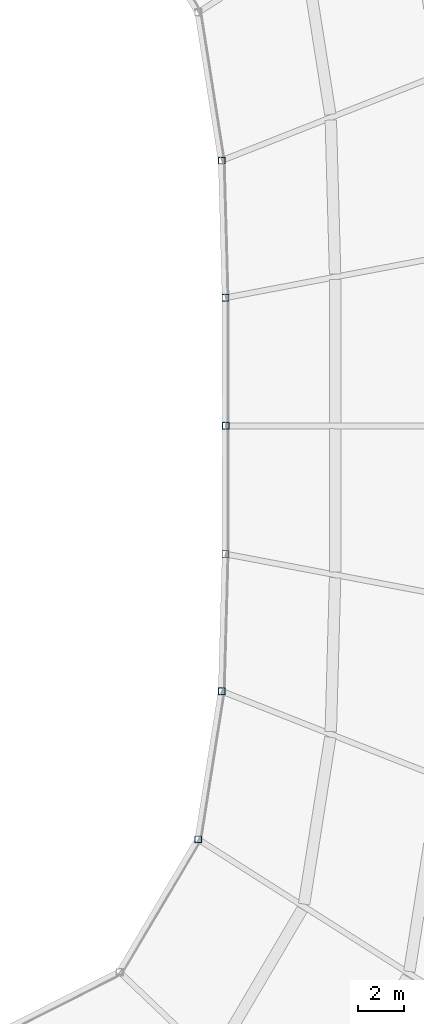
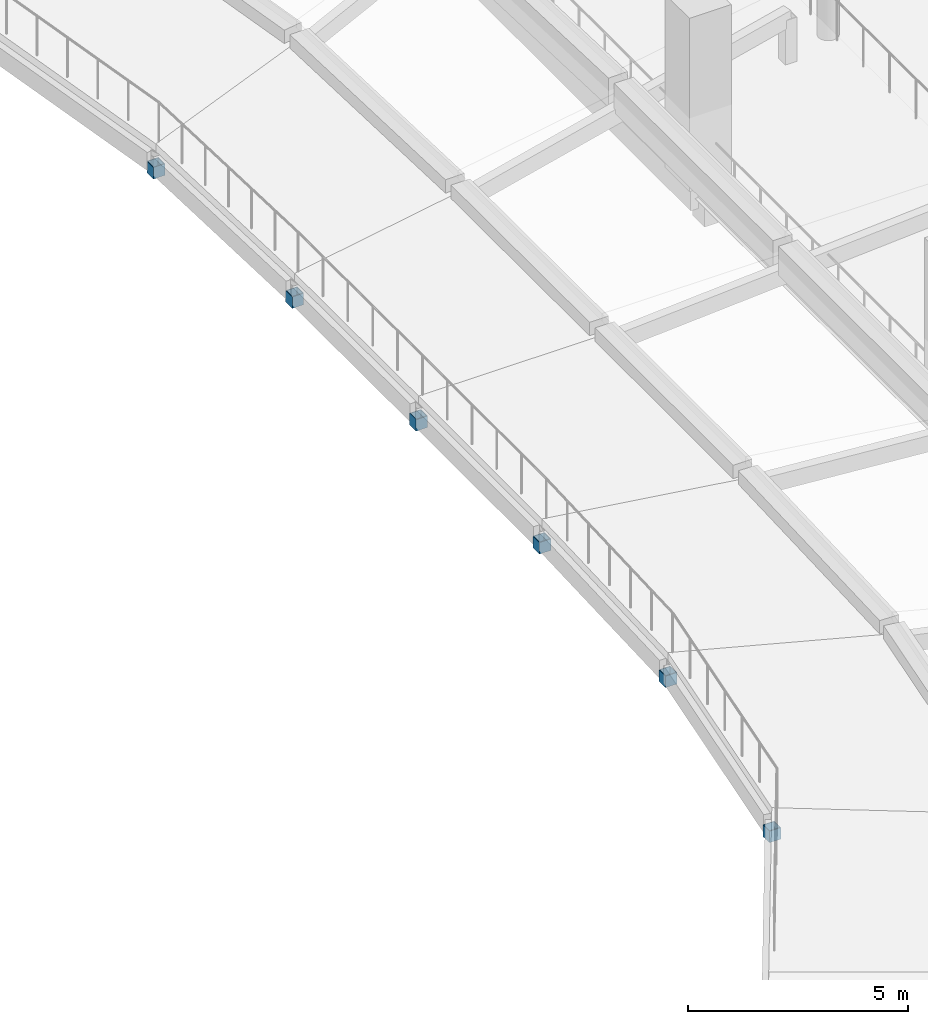
# One storey, part 20 of 77: 6 columns.
"""IFC4 building model written with IfcOpenShell, lengths in metres."""

from ifc_helpers import new_model, si_unit, direction, frame, origin, origin_2d, place, context, subcontext, project, spatial, hollow_rectangle, extrude, material, material_profile, profile_set, type_object, element, save


model = new_model("IFC4")

# Units and contexts
model_context = context("Model", 3, precision=1e-05, world=origin(), true_north=direction((0.0, 1.0)))
body_context = subcontext(model_context, "Body", "Model", "MODEL_VIEW")
ifc_project = project(units=[si_unit("LENGTHUNIT", "METRE"), si_unit("AREAUNIT", "SQUARE_METRE"), si_unit("VOLUMEUNIT", "CUBIC_METRE"), si_unit("PLANEANGLEUNIT", "RADIAN"), si_unit("MASSUNIT", "GRAM", prefix="KILO")], contexts=[model_context])

# Site, building, storey
site_placement = place(None, origin())
site = spatial("IfcSite", under=ifc_project, at=site_placement, CompositionType="ELEMENT")
building_placement = place(site_placement, origin())
building = spatial("IfcBuilding", under=site, at=building_placement, Name="Luwafu Chhajja Arena", CompositionType="ELEMENT")
storey_placement = place(building_placement, frame((0.0, 0.0, 14.699951171875)))
storey = spatial("IfcBuildingStorey", under=building, at=storey_placement, Name="L03", CompositionType="ELEMENT", Elevation=14.699951171875)

# Columns
ifc_material = material(Name="Steel S355", Category="steel")
ifc_material_profile = material_profile(ifc_material, hollow_rectangle(XDim=0.300048828125, YDim=0.300048828125, WallThickness=0.01611328125, at=origin_2d()), Name="SHS 300x300x16")
ifc_profile_set = profile_set([ifc_material_profile], Name="Steel S355")
column_type = type_object("IfcColumnType", Name="Steel Gallery Post SHS 300", PredefinedType="COLUMN", material=ifc_profile_set)
for number, where, z_axis, x_axis, name in (
    (1, (129.5, 49.5, 0.0), (0.0, 0.0, 1.0), (1.0, 0.0, 0.0), "L03 Upper Raker Front Post 01"),
    (2, (129.49169921875, 55.10791015625, 0.0), (0.0, 0.0, 1.0), (1.0, 0.0, 0.0), "L03 Upper Raker Front Post 02"),
    (3, (129.323486328125, 61.11328125, 0.0), (0.0, 0.0, 1.0), (1.0, 0.0, 0.0), "L03 Upper Raker Front Post 03"),
    (4, (128.298583984375, 31.399658203125, 0.0), (0.0, 0.0, 1.0), (1.0, 0.0, 0.0), "L03 Upper Raker Front Post 30"),
    (5, (129.323486328125, 37.88671875, 0.0), (0.0, 0.0, 1.0), (1.0, 0.0, 0.0), "L03 Upper Raker Front Post 31"),
    (6, (129.49169921875, 43.89208984375, 0.0), (0.0, 0.0, 1.0), (1.0, 0.0, 0.0), "L03 Upper Raker Front Post 32"),
):
    element("IfcColumn", number, at=place(storey_placement, frame(where, z_axis=z_axis, x_axis=x_axis)), inside=storey, type_object=column_type, Name=name, PredefinedType="COLUMN", context=body_context, shape_type="SweptSolid", body=[
        extrude(hollow_rectangle(XDim=0.300048828125, YDim=0.300048828125, WallThickness=0.01611328125, at=origin_2d()), origin(), (0.0, 0.0, 1.0), 0.320068359375),
    ])

save(model, "model.ifc")
